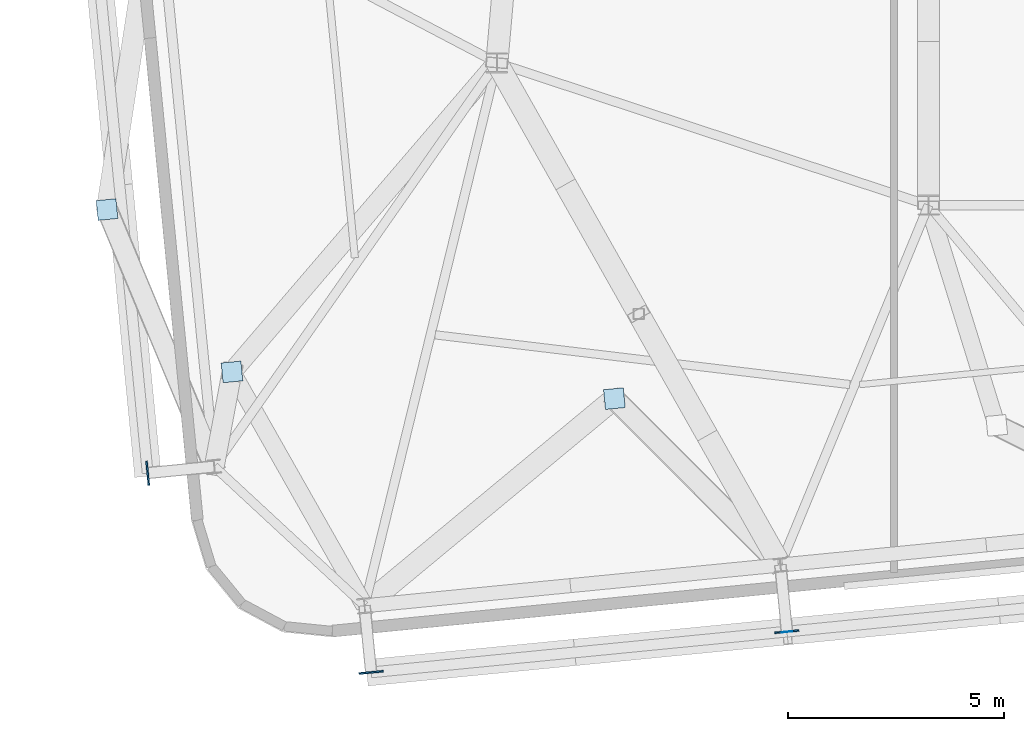
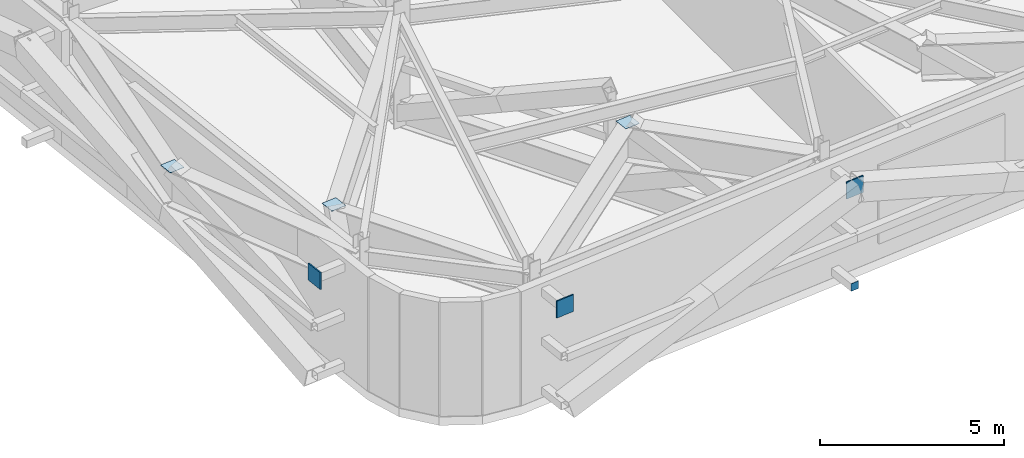
# One storey, part 13 of 24: 7 plates.
"""IFC4 building model written with IfcOpenShell, lengths in metres."""

from ifc_helpers import new_model, si_unit, direction, frame, origin, origin_2d, place, context, subcontext, project, spatial, rectangle, extrude, source, transform, mapped, material, layer, layer_set, type_object, element, save


model = new_model("IFC4")

# Units and contexts
model_context = context("Model", 3, precision=1e-05, world=origin(), true_north=direction((0.0, 1.0)))
body_context = subcontext(model_context, "Body", "Model", "MODEL_VIEW")
ifc_project = project(units=[si_unit("LENGTHUNIT", "METRE"), si_unit("AREAUNIT", "SQUARE_METRE"), si_unit("VOLUMEUNIT", "CUBIC_METRE"), si_unit("PLANEANGLEUNIT", "RADIAN"), si_unit("MASSUNIT", "GRAM", prefix="KILO")], contexts=[model_context])

# Site, building, storey
site_placement = place(None, origin())
site = spatial("IfcSite", under=ifc_project, at=site_placement, CompositionType="ELEMENT")
building_placement = place(site_placement, origin())
building = spatial("IfcBuilding", under=site, at=building_placement, Name="Taldren Reach Tower", CompositionType="ELEMENT")
storey_placement = place(building_placement, frame((0.0, 0.0, 112.35009765625)))
storey = spatial("IfcBuildingStorey", under=building, at=storey_placement, Name="L34", CompositionType="ELEMENT", Elevation=112.35009765625)

# Plates
ifc_material_1 = material(Name="Steel Gr 450 (C450L0)", Category="steel")
ifc_layer_1 = layer(ifc_material_1, 0.0400390625)
ifc_layer_set_1 = layer_set([ifc_layer_1], Name="Steel Gr 450 (C450L0)")
plate_type_1 = type_object("IfcPlateType", Name="PL-GUSSET-40", PredefinedType="SHEET", material=ifc_layer_set_1)
shared_shape_1 = source(origin(), body_context, "Body", "SweptSolid", [
    extrude(rectangle(XDim=0.56005859375, YDim=0.0400390625, at=origin_2d()), origin(), (0.0, 0.0, 1.0), 0.56005859375),
])
for number, where, z_axis, x_axis, name in (
    (1, (15.08544921875, -1.62255859375, 3.219970703125), (0.0, 0.0, 1.0), (0.995227399982, 0.097582899759, 0.0), "Exoskeleton star-node gusset plate B2-S1 L34"),
    (2, (24.71923828125, -0.677978515625, 3.219970703125), (0.0, 0.0, 1.0), (0.995227399982, 0.097582899759, 0.0), "Exoskeleton star-node gusset plate B2-S2 L34"),
    (3, (9.91015625, 2.99462890625, 3.219970703125), (0.0, 0.0, 1.0), (-0.097582899759, 0.995227399982, 0.0), "Exoskeleton star-node gusset plate B2-W1 L34"),
):
    element("IfcPlate", number, at=place(storey_placement, frame(where, z_axis=z_axis, x_axis=x_axis)), inside=storey, type_object=plate_type_1, Name=name, PredefinedType="SHEET", context=body_context, shape_type="MappedRepresentation", body=[
        mapped(shared_shape_1, transform((0.0, 0.0, 0.0), scale=1.0)),
    ])
ifc_material_2 = material(Name="Steel Gr 350 (C350L0)", Category="steel")
ifc_layer_2 = layer(ifc_material_2, 0.011962890625)
ifc_layer_set_2 = layer_set([ifc_layer_2], Name="Steel Gr 350 (C350L0)")
plate_type_2 = type_object("IfcPlateType", Name="PL-CAP-250", PredefinedType="SHEET", material=ifc_layer_set_2)
shared_shape_2 = source(origin(), body_context, "Body", "SweptSolid", [
    extrude(rectangle(XDim=0.25, YDim=0.011962890625, at=origin_2d()), origin(), (0.0, 0.0, 1.0), 0.25),
])
plate_placement = place(storey_placement, frame((24.7197265625, -0.683837890625, 0.094970703125), z_axis=(0.0, 0.0, 1.0), x_axis=(0.995227399982, 0.097582899759, 0.0)))
element("IfcPlate", 4, at=plate_placement, inside=storey, type_object=plate_type_2, Name="Tie strut end cap plate B2-S2 L34", PredefinedType="SHEET", context=body_context, shape_type="MappedRepresentation", body=[
    mapped(shared_shape_2, transform((0.0, 0.0, 0.0), scale=1.0)),
])
ifc_layer_3 = layer(ifc_material_1, 0.011962890625)
ifc_layer_set_3 = layer_set([ifc_layer_3], Name="Steel Gr 450 (C450L0)")
plate_type_3 = type_object("IfcPlateType", Name="PL-CAP-460", PredefinedType="SHEET", material=ifc_layer_set_3)
shared_shape_3 = source(origin(), body_context, "Body", "SweptSolid", [
    extrude(rectangle(XDim=0.4599609375, YDim=0.4599609375, at=origin_2d()), origin(), (0.0, 0.0, 1.0), 0.011962890625),
])
for number, where, z_axis, x_axis, name in (
    (5, (11.863525390625, 5.33837890625, 3.76806640625), (0.0, 0.0, 1.0), (0.995227399982, 0.097582899759, 0.0), "Transfer strut end cap plate TS-B3-S1 L34"),
    (6, (20.721923828125, 4.718994140625, 3.76806640625), (0.0, 0.0, 1.0), (0.995227399982, 0.097582899759, 0.0), "Transfer strut end cap plate TS-B3-S2 L34"),
    (7, (8.96875, 9.099609375, 3.76806640625), (0.0, 0.0, 1.0), (0.995227399982, 0.097582899759, 0.0), "Transfer strut end cap plate TS-B3-W1 L34"),
):
    element("IfcPlate", number, at=place(storey_placement, frame(where, z_axis=z_axis, x_axis=x_axis)), inside=storey, type_object=plate_type_3, Name=name, PredefinedType="SHEET", context=body_context, shape_type="MappedRepresentation", body=[
        mapped(shared_shape_3, transform((0.0, 0.0, 0.0), scale=1.0)),
    ])

save(model, "model.ifc")
